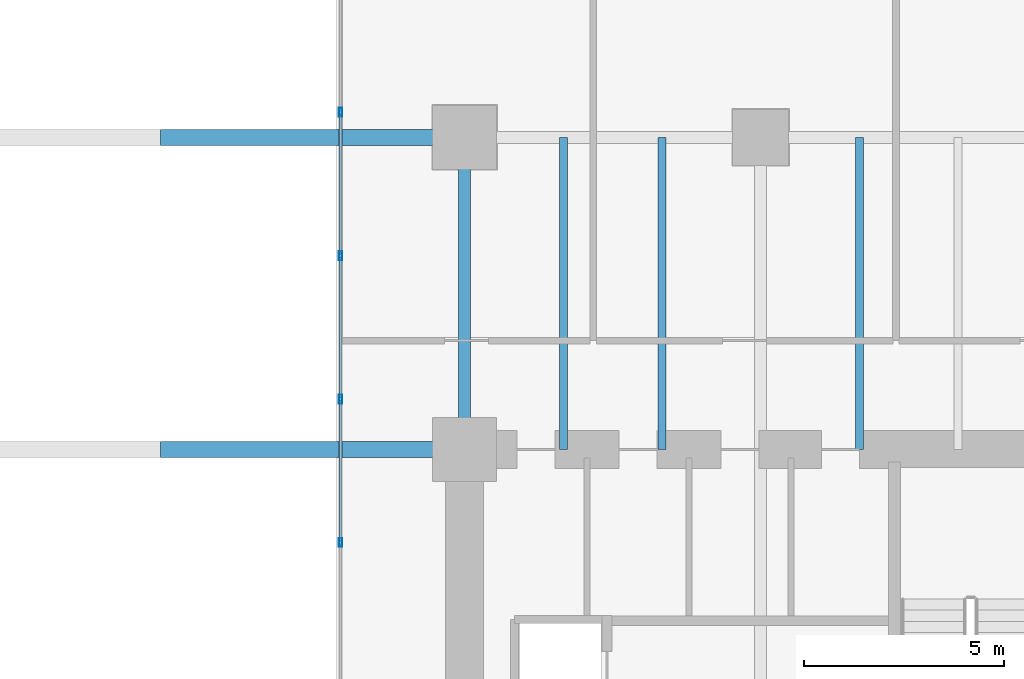
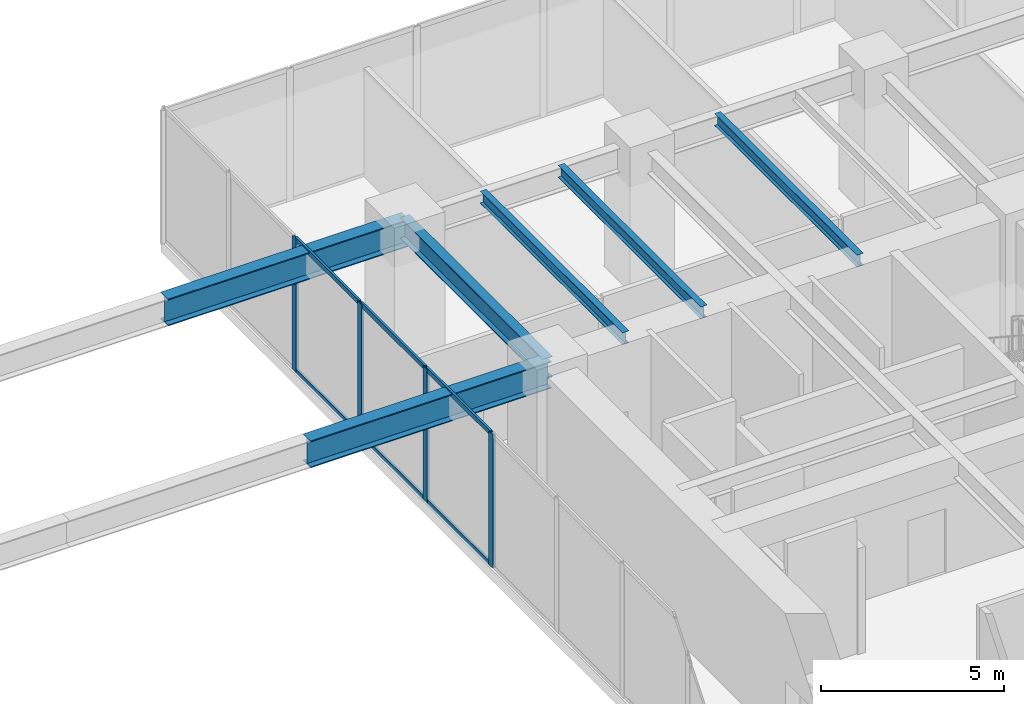
# One storey, part 21 of 39: 10 members, 6 beams, 1 element without a shape of its own.
"""IFC4 building model written with IfcOpenShell, lengths in metres."""

from ifc_helpers import new_model, si_unit, direction, frame, origin, origin_2d, place, context, subcontext, project, spatial, hollow_rectangle, i_section, extrude, source, transform, mapped, material, layer, layer_set, material_profile, profile_set, type_object, type_shapes, element, aggregate, save


model = new_model("IFC4")

# Units and contexts
model_context = context("Model", 3, precision=1e-05, world=origin(), true_north=direction((0.0, 1.0)))
body_context = subcontext(model_context, "Body", "Model", "MODEL_VIEW")
ifc_project = project(units=[si_unit("LENGTHUNIT", "METRE"), si_unit("AREAUNIT", "SQUARE_METRE"), si_unit("VOLUMEUNIT", "CUBIC_METRE"), si_unit("PLANEANGLEUNIT", "RADIAN"), si_unit("MASSUNIT", "GRAM", prefix="KILO")], contexts=[model_context])

# Site, building, storey
site_placement = place(None, origin())
site = spatial("IfcSite", under=ifc_project, at=site_placement, CompositionType="ELEMENT")
building_placement = place(site_placement, origin())
building = spatial("IfcBuilding", under=site, at=building_placement, Name="Haelvirn Gate Laboratories", CompositionType="ELEMENT")
storey_placement = place(building_placement, frame((0.0, 0.0, 15.0)))
storey = spatial("IfcBuildingStorey", under=building, at=storey_placement, Name="L04", CompositionType="ELEMENT", Elevation=15.0)

# Beams
ifc_material_1 = material(Name="Steel SM355", Category="steel")
ifc_material_profile_1 = material_profile(ifc_material_1, i_section(OverallWidth=0.199951171875, OverallDepth=0.39990234375, WebThickness=0.008056640625, FlangeThickness=0.012939453125, at=origin_2d()), Name="H-400x200x8x13")
ifc_profile_set_1 = profile_set([ifc_material_profile_1], Name="Steel SM355")
beam_type_1 = type_object("IfcBeamType", Name="BM-J-400", PredefinedType="JOIST", material=ifc_profile_set_1)
shared_shape_1 = source(origin(), body_context, "Body", "SweptSolid", [
    extrude(i_section(OverallWidth=0.199951171875, OverallDepth=0.39990234375, WebThickness=0.008056640625, FlangeThickness=0.012939453125, at=origin_2d()), origin(), (0.0, 0.0, 1.0), 7.800048828125),
])
type_shapes(beam_type_1, [shared_shape_1])
for number, where, z_axis, x_axis, name in (
    (1, (55.070068359375, 33.800048828125, 4.25), (0.0, 1.0, 0.0), (-1.0, 0.0, 0.0), "L04 Composite Lab Joist North X55.07"),
    (2, (57.530029296875, 33.800048828125, 4.25), (0.0, 1.0, 0.0), (-1.0, 0.0, 0.0), "L04 Composite Lab Joist North X57.53"),
    (3, (62.469970703125, 33.800048828125, 4.25), (0.0, 1.0, 0.0), (-1.0, 0.0, 0.0), "L04 Composite Lab Joist North X62.47"),
):
    element("IfcBeam", number, at=place(storey_placement, frame(where, z_axis=z_axis, x_axis=x_axis)), inside=storey, type_object=beam_type_1, Name=name, PredefinedType="JOIST", context=body_context, shape_type="MappedRepresentation", body=[
        mapped(shared_shape_1, transform((0.0, 0.0, 0.0), scale=1.0)),
    ])
ifc_material_profile_2 = material_profile(ifc_material_1, i_section(OverallWidth=0.300048828125, OverallDepth=0.699951171875, WebThickness=0.012939453125, FlangeThickness=0.02392578125, at=origin_2d()), Name="H-700x300x13x24")
ifc_profile_set_2 = profile_set([ifc_material_profile_2], Name="Steel SM355")
beam_type_2 = type_object("IfcBeamType", Name="BM-G-700", PredefinedType="BEAM", material=ifc_profile_set_2)
shared_shape_2 = source(origin(), body_context, "Body", "SweptSolid", [
    extrude(i_section(OverallWidth=0.300048828125, OverallDepth=0.699951171875, WebThickness=0.012939453125, FlangeThickness=0.02392578125, at=origin_2d()), origin(), (0.0, 0.0, 1.0), 7.800048828125),
])
type_shapes(beam_type_2, [shared_shape_2])
beam_placement = place(storey_placement, frame((52.60009765625, 33.800048828125, 4.10009765625), z_axis=(0.0, 1.0, 0.0), x_axis=(-1.0, 0.0, 0.0)))
element("IfcBeam", 4, at=beam_placement, inside=storey, type_object=beam_type_2, Name="L04 Frame Girder X52.6 (33.8-41.6)", PredefinedType="BEAM", context=body_context, shape_type="MappedRepresentation", body=[
    mapped(shared_shape_2, transform((0.0, 0.0, 0.0), scale=1.0)),
])
ifc_material_2 = material(Name="Steel SM420", Category="steel")
ifc_material_profile_3 = material_profile(ifc_material_2, i_section(OverallWidth=0.39990234375, OverallDepth=0.89990234375, WebThickness=0.01904296875, FlangeThickness=0.031982421875, at=origin_2d()), Name="H-900x400x19x32")
ifc_profile_set_3 = profile_set([ifc_material_profile_3], Name="Steel SM420")
beam_type_3 = type_object("IfcBeamType", Name="BM-TG-900", PredefinedType="BEAM", material=ifc_profile_set_3)
shared_shape_3 = source(origin(), body_context, "Body", "SweptSolid", [
    extrude(i_section(OverallWidth=0.39990234375, OverallDepth=0.89990234375, WebThickness=0.01904296875, FlangeThickness=0.031982421875, at=origin_2d()), origin(), (0.0, 0.0, 1.0), 7.60009765625),
])
type_shapes(beam_type_3, [shared_shape_3])
for number, where, z_axis, x_axis, name in (
    (5, (45.0, 33.800048828125, 4.0), (1.0, 0.0, 0.0), (0.0, 1.0, 0.0), "L05 Portal Transfer Truss Bottom Chord Y33.8-4"),
    (6, (45.0, 41.60009765625, 4.0), (1.0, 0.0, 0.0), (0.0, 1.0, 0.0), "L05 Portal Transfer Truss Bottom Chord Y41.6-4"),
):
    element("IfcBeam", number, at=place(storey_placement, frame(where, z_axis=z_axis, x_axis=x_axis)), inside=storey, type_object=beam_type_3, Name=name, PredefinedType="BEAM", context=body_context, shape_type="MappedRepresentation", body=[
        mapped(shared_shape_3, transform((0.0, 0.0, 0.0), scale=1.0)),
    ])

# Curtain wall, members
ifc_material_3 = material(Name="Anodised bronze unitised aluminium & triple low-E glass", Category="aluminium")
ifc_layer = layer(ifc_material_3, 0.18798828125, Name="CW-SYS-1")
ifc_layer_set = layer_set([ifc_layer], Name="Anodised bronze unitised aluminium & triple low-E glass")
curtain_wall_type = type_object("IfcCurtainWallType", Name="CW-SYS-1", PredefinedType="NOTDEFINED", material=ifc_layer_set)
curtain_wall_placement = place(storey_placement, origin())
curtain_wall = element("IfcCurtainWall", 7, at=curtain_wall_placement, inside=storey, type_object=curtain_wall_type, Name="L04 Unitised Curtain Wall CW-L04-P1-E07", PredefinedType="NOTDEFINED")
ifc_material_4 = material(Name="Extruded aluminium 6063-T6 (anodised bronze)", Category="aluminium")
ifc_material_profile_4 = material_profile(ifc_material_4, hollow_rectangle(XDim=0.070068359375, YDim=0.159912109375, WallThickness=0.0048828125, at=origin_2d()), Name="CWT-160x70x5")
ifc_profile_set_4 = profile_set([ifc_material_profile_4], Name="Extruded aluminium 6063-T6 (anodised bronze)")
member_type_1 = type_object("IfcMemberType", Name="CWT-T160", PredefinedType="USERDEFINED", material=ifc_profile_set_4)
shared_shape_4 = source(origin(), body_context, "Body", "SweptSolid", [
    extrude(hollow_rectangle(XDim=0.070068359375, YDim=0.159912109375, WallThickness=0.0048828125, at=origin_2d()), origin(), (0.0, 0.0, 1.0), 3.505615234375),
])
type_shapes(member_type_1, [shared_shape_4])
member_1_placement = place(storey_placement, frame((49.5, 42.1884765625, 0.034912109375), z_axis=(0.0, -1.0, 0.0), x_axis=(1.0, 0.0, 0.0)))
member_1 = element("IfcMember", 8, at=member_1_placement, type_object=member_type_1, Name="CW1 transom 3.1", ObjectType="TRANSOM", PredefinedType="USERDEFINED", context=body_context, shape_type="MappedRepresentation", body=[
    mapped(shared_shape_4, transform((0.0, 0.0, 0.0), scale=1.0)),
])
member_2_placement = place(storey_placement, frame((49.5, 42.1884765625, 4.4150390625), z_axis=(0.0, -1.0, 0.0), x_axis=(1.0, 0.0, 0.0)))
member_2 = element("IfcMember", 9, at=member_2_placement, type_object=member_type_1, Name="CW1 transom 3.2", ObjectType="TRANSOM", PredefinedType="USERDEFINED", context=body_context, shape_type="MappedRepresentation", body=[
    mapped(shared_shape_4, transform((0.0, 0.0, 0.0), scale=1.0)),
])
member_3_placement = place(storey_placement, frame((49.5, 38.602783203125, 0.034912109375), z_axis=(0.0, -1.0, 0.0), x_axis=(1.0, 0.0, 0.0)))
member_3 = element("IfcMember", 10, at=member_3_placement, type_object=member_type_1, Name="CW1 transom 4.1", ObjectType="TRANSOM", PredefinedType="USERDEFINED", context=body_context, shape_type="MappedRepresentation", body=[
    mapped(shared_shape_4, transform((0.0, 0.0, 0.0), scale=1.0)),
])
member_4_placement = place(storey_placement, frame((49.5, 38.602783203125, 4.4150390625), z_axis=(0.0, -1.0, 0.0), x_axis=(1.0, 0.0, 0.0)))
member_4 = element("IfcMember", 11, at=member_4_placement, type_object=member_type_1, Name="CW1 transom 4.2", ObjectType="TRANSOM", PredefinedType="USERDEFINED", context=body_context, shape_type="MappedRepresentation", body=[
    mapped(shared_shape_4, transform((0.0, 0.0, 0.0), scale=1.0)),
])
member_5_placement = place(storey_placement, frame((49.5, 35.01708984375, 0.034912109375), z_axis=(0.0, -1.0, 0.0), x_axis=(1.0, 0.0, 0.0)))
member_5 = element("IfcMember", 12, at=member_5_placement, type_object=member_type_1, Name="CW1 transom 5.1", ObjectType="TRANSOM", PredefinedType="USERDEFINED", context=body_context, shape_type="MappedRepresentation", body=[
    mapped(shared_shape_4, transform((0.0, 0.0, 0.0), scale=1.0)),
])
member_6_placement = place(storey_placement, frame((49.5, 35.01708984375, 4.4150390625), z_axis=(0.0, -1.0, 0.0), x_axis=(1.0, 0.0, 0.0)))
member_6 = element("IfcMember", 13, at=member_6_placement, type_object=member_type_1, Name="CW1 transom 5.2", ObjectType="TRANSOM", PredefinedType="USERDEFINED", context=body_context, shape_type="MappedRepresentation", body=[
    mapped(shared_shape_4, transform((0.0, 0.0, 0.0), scale=1.0)),
])
ifc_material_profile_5 = material_profile(ifc_material_4, hollow_rectangle(XDim=0.080078125, YDim=0.219970703125, WallThickness=0.006103515625, at=origin_2d()), Name="CWM-220x80x6")
ifc_profile_set_5 = profile_set([ifc_material_profile_5], Name="Extruded aluminium 6063-T6 (anodised bronze)")
member_type_2 = type_object("IfcMemberType", Name="CWM-T220", PredefinedType="MULLION", material=ifc_profile_set_5)
shared_shape_5 = source(origin(), body_context, "Body", "SweptSolid", [
    extrude(hollow_rectangle(XDim=0.080078125, YDim=0.219970703125, WallThickness=0.006103515625, at=origin_2d()), origin(), (0.0, 0.0, 1.0), 4.449951171875),
])
type_shapes(member_type_2, [shared_shape_5])
member_7_placement = place(storey_placement, frame((49.5, 42.228515625, 0.0), z_axis=(0.0, 0.0, 1.0), x_axis=(1.0, 0.0, 0.0)))
member_7 = element("IfcMember", 14, at=member_7_placement, type_object=member_type_2, Name="CW1 mullion 3", PredefinedType="MULLION", context=body_context, shape_type="MappedRepresentation", body=[
    mapped(shared_shape_5, transform((0.0, 0.0, 0.0), scale=1.0)),
])
member_8_placement = place(storey_placement, frame((49.5, 38.642822265625, 0.0), z_axis=(0.0, 0.0, 1.0), x_axis=(1.0, 0.0, 0.0)))
member_8 = element("IfcMember", 15, at=member_8_placement, type_object=member_type_2, Name="CW1 mullion 4", PredefinedType="MULLION", context=body_context, shape_type="MappedRepresentation", body=[
    mapped(shared_shape_5, transform((0.0, 0.0, 0.0), scale=1.0)),
])
member_9_placement = place(storey_placement, frame((49.5, 35.05712890625, 0.0), z_axis=(0.0, 0.0, 1.0), x_axis=(1.0, 0.0, 0.0)))
member_9 = element("IfcMember", 16, at=member_9_placement, type_object=member_type_2, Name="CW1 mullion 5", PredefinedType="MULLION", context=body_context, shape_type="MappedRepresentation", body=[
    mapped(shared_shape_5, transform((0.0, 0.0, 0.0), scale=1.0)),
])
member_10_placement = place(storey_placement, frame((49.5, 31.471435546875, 0.0), z_axis=(0.0, 0.0, 1.0), x_axis=(1.0, 0.0, 0.0)))
member_10 = element("IfcMember", 17, at=member_10_placement, type_object=member_type_2, Name="CW1 mullion 6", PredefinedType="MULLION", context=body_context, shape_type="MappedRepresentation", body=[
    mapped(shared_shape_5, transform((0.0, 0.0, 0.0), scale=1.0)),
])
aggregate(curtain_wall, [member_7, member_8, member_9, member_10, member_1, member_2, member_3, member_4, member_5, member_6])

save(model, "model.ifc")
